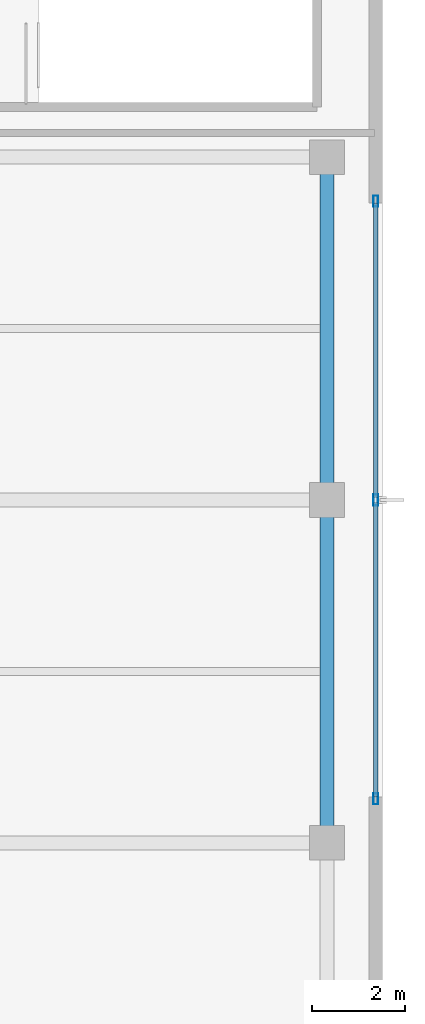
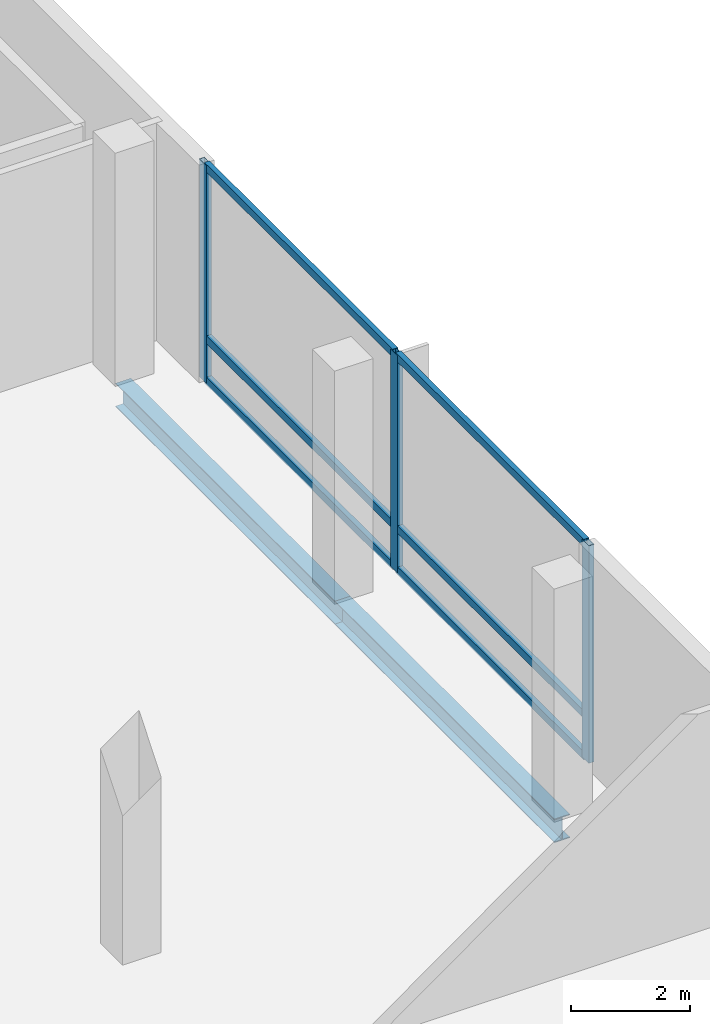
# One storey, part 6 of 19: 9 members, 2 beams, 1 element without a shape of its own.
"""IFC4 building model written with IfcOpenShell, lengths in metres."""

import ifcopenshell
import ifcopenshell.guid

model = None  # the IFC model being written
_history = None  # IfcOwnerHistory: only IFC2X3 demands one
_inside = {}  # id of a spatial element -> (the spatial element, [elements in it])
_under = {}  # id of a project, library or spatial element -> (it, [spatial elements below it])
_declared = {}  # id of a project -> (the project, [libraries it declares])
_typed = {}  # id of a type object -> (the type object, [elements of that type])
_made_of = {}  # id of a material, layer set ... -> (it, [elements and type objects made of it])


def new_model(schema):
    """Start an empty IFC model of exactly this schema.

    Asked for "IFC4X3", IfcOpenShell would pick the latest addendum, in which some entities
    have other attributes; the version numbers below select the first issue.
    IFC2X3 requires an IfcOwnerHistory on every rooted entity: one is made here for all.
    """
    global model, _history
    if schema == "IFC4X3":
        model = ifcopenshell.file(schema_version=(4, 3, 0, 0))
    else:
        model = ifcopenshell.file(schema=schema)
    _inside.clear()
    _under.clear()
    _declared.clear()
    _typed.clear()
    _made_of.clear()
    _history = None
    if model.schema == "IFC2X3":
        org = make("IfcOrganization", Name="unknown")
        user = make(
            "IfcPersonAndOrganization",
            ThePerson=make("IfcPerson", FamilyName="unknown"),
            TheOrganization=org,
        )
        app = make(
            "IfcApplication",
            ApplicationDeveloper=org,
            Version="unknown",
            ApplicationFullName="unknown",
            ApplicationIdentifier="unknown",
        )
        _history = make(
            "IfcOwnerHistory",
            OwningUser=user,
            OwningApplication=app,
            ChangeAction="ADDED",
            CreationDate=0,
        )
    return model


def make(cls, **values):
    """One entity of the class cls with the attributes given. An attribute that is None is left unset."""
    return model.create_entity(
        cls, **{name: value for name, value in values.items() if value is not None}
    )


def rooted(cls, **values):
    """An entity with a GlobalId (a new one), such as an element, a storey or a relation."""
    return make(cls, GlobalId=ifcopenshell.guid.new(), OwnerHistory=_history, **values)


def si_unit(unit_type, name, prefix=None):
    """IfcSIUnit, for example si_unit("LENGTHUNIT", "METRE", prefix="MILLI")."""
    return make("IfcSIUnit", UnitType=unit_type, Prefix=prefix, Name=name)


def assignment(units):
    """IfcUnitAssignment: the units of a project."""
    return None if units is None else make("IfcUnitAssignment", Units=units)


def point(xyz):
    """IfcCartesianPoint."""
    return None if xyz is None else make("IfcCartesianPoint", Coordinates=xyz)


def direction(xyz):
    """IfcDirection."""
    return None if xyz is None else make("IfcDirection", DirectionRatios=xyz)


def frame(location, z_axis=None, x_axis=None):
    """IfcAxis2Placement3D, a coordinate frame: its origin and axes. An axis left out is left unset."""
    return make(
        "IfcAxis2Placement3D",
        Location=point(location),
        Axis=direction(z_axis),
        RefDirection=direction(x_axis),
    )


def frame_2d(location, x_axis=None):
    """IfcAxis2Placement2D, a coordinate frame in the plane: its origin and x axis."""
    return make(
        "IfcAxis2Placement2D", Location=point(location), RefDirection=direction(x_axis)
    )


def origin():
    """The frame at (0, 0, 0) with its axes left unset."""
    return frame((0.0, 0.0, 0.0))


def origin_2d():
    """The frame at (0, 0) in the plane with its x axis left unset."""
    return frame_2d((0.0, 0.0))


def place(relative_to, where):
    """IfcLocalPlacement: puts the frame where relative to a parent placement (None: the world)."""
    return make(
        "IfcLocalPlacement", PlacementRelTo=relative_to, RelativePlacement=where
    )


def context(
    kind, dimensions, precision=None, world=None, true_north=None, identifier=None
):
    """IfcGeometricRepresentationContext, for example the 3D "Model" context."""
    return make(
        "IfcGeometricRepresentationContext",
        ContextIdentifier=identifier,
        ContextType=kind,
        CoordinateSpaceDimension=dimensions,
        Precision=precision,
        WorldCoordinateSystem=world,
        TrueNorth=true_north,
    )


def subcontext(parent, identifier, kind, view, scale=None):
    """IfcGeometricRepresentationSubContext, for example "Body" below "Model"."""
    return make(
        "IfcGeometricRepresentationSubContext",
        ContextIdentifier=identifier,
        ContextType=kind,
        ParentContext=parent,
        TargetScale=scale,
        TargetView=view,
    )


def project(units=None, contexts=None):
    """IfcProject with its units and contexts."""
    return rooted(
        "IfcProject",
        Name="project",
        RepresentationContexts=contexts,
        UnitsInContext=assignment(units),
    )


def spatial(cls, under=None, at=None, **own):
    """A site, building, storey or space (cls), placed at a placement, below another one or the project."""
    s = rooted(cls, ObjectPlacement=at, **own)
    if under is not None:
        _under.setdefault(under.id(), (under, []))[1].append(s)
    return s


def profile(cls, at=None, kind="AREA", **sizes):
    """A parametric profile (cls). Its sizes go by their IFC names, for example OverallWidth=200.0."""
    return make(cls, ProfileType=kind, Position=at, **sizes)


def hollow_rectangle(**sizes):
    """IfcRectangleHollowProfileDef."""
    return profile("IfcRectangleHollowProfileDef", **sizes)


def i_section(**sizes):
    """IfcIShapeProfileDef."""
    return profile("IfcIShapeProfileDef", **sizes)


def extrude(swept, where, along, depth):
    """IfcExtrudedAreaSolid: the profile swept, set in the frame where, extruded along a direction by depth."""
    return make(
        "IfcExtrudedAreaSolid",
        SweptArea=swept,
        Position=where,
        ExtrudedDirection=direction(along),
        Depth=depth,
    )


def shape(context_of_items, identifier, shape_type, items):
    """IfcShapeRepresentation: the items that make up one representation, for example the "Body"."""
    return make(
        "IfcShapeRepresentation",
        ContextOfItems=context_of_items,
        RepresentationIdentifier=identifier,
        RepresentationType=shape_type,
        Items=items,
    )


def material(Name=None, Category=None):
    """IfcMaterial."""
    return make("IfcMaterial", Name=Name, Category=Category)


def layer(
    of_material, thickness, ventilated=None, Name=None, Category=None, Priority=None
):
    """IfcMaterialLayer: one layer of a wall or slab, of a material (None: an air gap)."""
    return make(
        "IfcMaterialLayer",
        Material=of_material,
        LayerThickness=thickness,
        IsVentilated=ventilated,
        Name=Name,
        Category=Category,
        Priority=Priority,
    )


def layer_set(layers, Name=None):
    """IfcMaterialLayerSet."""
    return make("IfcMaterialLayerSet", MaterialLayers=layers, LayerSetName=Name)


def material_profile(
    of_material, cross_section, Name=None, Category=None, Priority=None
):
    """IfcMaterialProfile: a cross section and its material."""
    return make(
        "IfcMaterialProfile",
        Name=Name,
        Material=of_material,
        Profile=cross_section,
        Priority=Priority,
        Category=Category,
    )


def profile_set(profiles, Name=None, composite=None):
    """IfcMaterialProfileSet."""
    return make(
        "IfcMaterialProfileSet",
        Name=Name,
        MaterialProfiles=profiles,
        CompositeProfile=composite,
    )


def made_of(thing, what):
    """Note that an element or type object is made of a material, layer set ...; save() writes the relation."""
    if what is not None:
        _made_of.setdefault(what.id(), (what, []))[1].append(thing)
    return thing


def type_object(cls, material=None, **own):
    """A type object (cls), such as IfcWallType, which elements share."""
    return made_of(rooted(cls, **own), material)


def element(
    cls,
    number,
    at=None,
    inside=None,
    cuts=None,
    type_object=None,
    material=None,
    context=None,
    identifier="Body",
    shape_type=None,
    held_by="IfcProductDefinitionShape",
    body=None,
    shapes=None,
    **own,
):
    """One element of the class cls, such as IfcWall. Its Tag is "e" and its number.

    at: its placement. inside: the storey or other place that contains it. cuts: it is an
    opening in that element (IfcRelVoidsElement). A single representation is given by context,
    identifier, shape_type and body (its items); several are given by shapes. held_by: the class
    of the entity that holds the representations. save() writes the other relations.
    """
    e = rooted(cls, Tag="e%d" % number, ObjectPlacement=at, **own)
    if body is not None:
        shapes = [shape(context, identifier, shape_type, body)]
    if shapes is not None:
        e.Representation = make(held_by, Representations=shapes)
    if inside is not None:
        _inside.setdefault(inside.id(), (inside, []))[1].append(e)
    if cuts is not None:
        rooted(
            "IfcRelVoidsElement", RelatingBuildingElement=cuts, RelatedOpeningElement=e
        )
    if type_object is not None:
        _typed.setdefault(type_object.id(), (type_object, []))[1].append(e)
    return made_of(e, material)


def aggregate(whole, parts):
    """IfcRelAggregates: a whole, such as a stair, and the parts it consists of."""
    return rooted("IfcRelAggregates", RelatingObject=whole, RelatedObjects=parts)


def save(model, path):
    """Write the relations noted so far, then the file.

    IfcRelAggregates (storeys below a building ...), IfcRelContainedInSpatialStructure (elements
    in a storey), IfcRelDefinesByType, IfcRelAssociatesMaterial and IfcRelDeclares: one each for
    every whole, place, type object, material and project.
    """
    for whole, parts in _under.values():
        aggregate(whole, parts)
    for where, things in _inside.values():
        rooted(
            "IfcRelContainedInSpatialStructure",
            RelatedElements=things,
            RelatingStructure=where,
        )
    for kind, things in _typed.values():
        rooted("IfcRelDefinesByType", RelatedObjects=things, RelatingType=kind)
    for what, things in _made_of.values():
        rooted("IfcRelAssociatesMaterial", RelatedObjects=things, RelatingMaterial=what)
    for by, libraries in _declared.values():
        rooted("IfcRelDeclares", RelatingContext=by, RelatedDefinitions=libraries)
    model.write(path)


model = new_model("IFC4")

# Units and contexts
model_context = context("Model", 3, precision=1e-05, world=origin(), true_north=direction((0.0, 1.0)))
body_context = subcontext(model_context, "Body", "Model", "MODEL_VIEW")
ifc_project = project(units=[si_unit("LENGTHUNIT", "METRE"), si_unit("AREAUNIT", "SQUARE_METRE"), si_unit("VOLUMEUNIT", "CUBIC_METRE"), si_unit("PLANEANGLEUNIT", "RADIAN"), si_unit("MASSUNIT", "GRAM", prefix="KILO")], contexts=[model_context])

# Site, building, storey
site_placement = place(None, origin())
site = spatial("IfcSite", under=ifc_project, at=site_placement, CompositionType="ELEMENT")
building_placement = place(site_placement, origin())
building = spatial("IfcBuilding", under=site, at=building_placement, Name="Khorvyn Point Tower", CompositionType="ELEMENT")
storey_placement = place(building_placement, frame((0.0, 0.0, 21.60009765625)))
storey = spatial("IfcBuildingStorey", under=building, at=storey_placement, Name="L06", CompositionType="ELEMENT", Elevation=21.60009765625)

# Curtain wall, members
ifc_material_1 = material(Name="Anodised aluminium 6063-T6 and laminated Low-E glass", Category="aluminium")
ifc_layer = layer(ifc_material_1, 0.18994140625)
ifc_layer_set = layer_set([ifc_layer], Name="Stick-Built Low-E Podium Curtain Wall CW-SYS-01")
curtain_wall_type = type_object("IfcCurtainWallType", Name="Stick-Built Low-E Podium Curtain Wall CW-SYS-01", PredefinedType="NOTDEFINED", material=ifc_layer_set)
curtain_wall_placement = place(storey_placement, origin())
curtain_wall = element("IfcCurtainWall", 1, at=curtain_wall_placement, inside=storey, type_object=curtain_wall_type, Name="Curtain Wall", PredefinedType="NOTDEFINED")
ifc_material_2 = material(Name="Anodised aluminium 6063-T6", Category="aluminium")
ifc_material_profile_1 = material_profile(ifc_material_2, hollow_rectangle(XDim=0.10009765625, YDim=0.239990234375, WallThickness=0.0048828125, at=origin_2d()))
ifc_profile_set_1 = profile_set([ifc_material_profile_1], Name="Anodised aluminium 6063-T6 ALU-MUL-100x240")
member_type_1 = type_object("IfcMemberType", Name="Anodised Aluminium 6063-T6 Mullion ALU-MUL-100x240", PredefinedType="MULLION", material=ifc_profile_set_1)
member_1_placement = place(storey_placement, frame((33.449951171875, -6.449951171875, 0.0), z_axis=(0.0, 0.0, 1.0), x_axis=(-1.0, 0.0, 0.0)))
member_1 = element("IfcMember", 2, at=member_1_placement, type_object=member_type_1, Name="Transom", PredefinedType="MULLION", context=body_context, shape_type="SweptSolid", body=[
    extrude(hollow_rectangle(XDim=0.10009765625, YDim=0.239990234375, WallThickness=0.0048828125, at=origin_2d()), origin(), (0.0, 0.0, 1.0), 4.47998046875),
])
member_2_placement = place(storey_placement, frame((33.449951171875, 0.0, 0.0), z_axis=(0.0, 0.0, 1.0), x_axis=(-1.0, 0.0, 0.0)))
member_2 = element("IfcMember", 3, at=member_2_placement, type_object=member_type_1, Name="Transom", PredefinedType="MULLION", context=body_context, shape_type="SweptSolid", body=[
    extrude(hollow_rectangle(XDim=0.10009765625, YDim=0.239990234375, WallThickness=0.0048828125, at=origin_2d()), origin(), (0.0, 0.0, 1.0), 4.47998046875),
])
member_3_placement = place(storey_placement, frame((33.449951171875, 6.449951171875, 0.0), z_axis=(0.0, 0.0, 1.0), x_axis=(-1.0, 0.0, 0.0)))
member_3 = element("IfcMember", 4, at=member_3_placement, type_object=member_type_1, Name="Transom", PredefinedType="MULLION", context=body_context, shape_type="SweptSolid", body=[
    extrude(hollow_rectangle(XDim=0.10009765625, YDim=0.239990234375, WallThickness=0.0048828125, at=origin_2d()), origin(), (0.0, 0.0, 1.0), 4.47998046875),
])
ifc_material_profile_2 = material_profile(ifc_material_2, hollow_rectangle(XDim=0.10009765625, YDim=0.159912109375, WallThickness=0.00439453125, at=origin_2d()))
ifc_profile_set_2 = profile_set([ifc_material_profile_2], Name="Anodised aluminium 6063-T6 ALU-TRN-100x160")
member_type_2 = type_object("IfcMemberType", Name="Anodised Aluminium 6063-T6 Transom ALU-TRN-100x160", PredefinedType="USERDEFINED", material=ifc_profile_set_2)
member_4_placement = place(storey_placement, frame((33.449951171875, -6.39990234375, 0.0498046875), z_axis=(0.0, 1.0, 0.0), x_axis=(-1.0, 0.0, 0.0)))
member_4 = element("IfcMember", 5, at=member_4_placement, type_object=member_type_2, Name="Transom", ObjectType="TRANSOM", PredefinedType="USERDEFINED", context=body_context, shape_type="SweptSolid", body=[
    extrude(hollow_rectangle(XDim=0.10009765625, YDim=0.159912109375, WallThickness=0.00439453125, at=origin_2d()), origin(), (0.0, 0.0, 1.0), 6.349853515625),
])
member_5_placement = place(storey_placement, frame((33.449951171875, -6.39990234375, 0.89990234375), z_axis=(0.0, 1.0, 0.0), x_axis=(-1.0, 0.0, 0.0)))
member_5 = element("IfcMember", 6, at=member_5_placement, type_object=member_type_2, Name="Transom", ObjectType="TRANSOM", PredefinedType="USERDEFINED", context=body_context, shape_type="SweptSolid", body=[
    extrude(hollow_rectangle(XDim=0.10009765625, YDim=0.159912109375, WallThickness=0.00439453125, at=origin_2d()), origin(), (0.0, 0.0, 1.0), 6.349853515625),
])
member_6_placement = place(storey_placement, frame((33.449951171875, -6.39990234375, 4.429931640625), z_axis=(0.0, 1.0, 0.0), x_axis=(-1.0, 0.0, 0.0)))
member_6 = element("IfcMember", 7, at=member_6_placement, type_object=member_type_2, Name="Transom", ObjectType="TRANSOM", PredefinedType="USERDEFINED", context=body_context, shape_type="SweptSolid", body=[
    extrude(hollow_rectangle(XDim=0.10009765625, YDim=0.159912109375, WallThickness=0.00439453125, at=origin_2d()), origin(), (0.0, 0.0, 1.0), 6.349853515625),
])
member_7_placement = place(storey_placement, frame((33.449951171875, 0.050048828125, 0.0498046875), z_axis=(0.0, 1.0, 0.0), x_axis=(-1.0, 0.0, 0.0)))
member_7 = element("IfcMember", 8, at=member_7_placement, type_object=member_type_2, Name="Transom", ObjectType="TRANSOM", PredefinedType="USERDEFINED", context=body_context, shape_type="SweptSolid", body=[
    extrude(hollow_rectangle(XDim=0.10009765625, YDim=0.159912109375, WallThickness=0.00439453125, at=origin_2d()), origin(), (0.0, 0.0, 1.0), 6.349853515625),
])
member_8_placement = place(storey_placement, frame((33.449951171875, 0.050048828125, 0.89990234375), z_axis=(0.0, 1.0, 0.0), x_axis=(-1.0, 0.0, 0.0)))
member_8 = element("IfcMember", 9, at=member_8_placement, type_object=member_type_2, Name="Transom", ObjectType="TRANSOM", PredefinedType="USERDEFINED", context=body_context, shape_type="SweptSolid", body=[
    extrude(hollow_rectangle(XDim=0.10009765625, YDim=0.159912109375, WallThickness=0.00439453125, at=origin_2d()), origin(), (0.0, 0.0, 1.0), 6.349853515625),
])
member_9_placement = place(storey_placement, frame((33.449951171875, 0.050048828125, 4.429931640625), z_axis=(0.0, 1.0, 0.0), x_axis=(-1.0, 0.0, 0.0)))
member_9 = element("IfcMember", 10, at=member_9_placement, type_object=member_type_2, Name="Transom", ObjectType="TRANSOM", PredefinedType="USERDEFINED", context=body_context, shape_type="SweptSolid", body=[
    extrude(hollow_rectangle(XDim=0.10009765625, YDim=0.159912109375, WallThickness=0.00439453125, at=origin_2d()), origin(), (0.0, 0.0, 1.0), 6.349853515625),
])
aggregate(curtain_wall, [member_1, member_2, member_3, member_4, member_5, member_6, member_7, member_8, member_9])

# Beams
ifc_material_3 = material(Name="Steel S355", Category="steel")
ifc_material_profile_3 = material_profile(ifc_material_3, i_section(OverallWidth=0.300048828125, OverallDepth=0.488037109375, WebThickness=0.010986328125, FlangeThickness=0.01806640625, at=origin_2d()))
ifc_profile_set_3 = profile_set([ifc_material_profile_3], Name="Steel S355 H488x300x11x18")
beam_type = type_object("IfcBeamType", Name="Steel S355 Spandrel H488x300x11x18", PredefinedType="SPANDREL", material=ifc_profile_set_3)
for number, where, z_axis, x_axis, name in (
    (11, (32.39990234375, -7.39990234375, -0.484130859375), (0.0, 1.0, 0.0), (-1.0, 0.0, 0.0), "Beam"),
    (12, (32.39990234375, 0.0, -0.484130859375), (0.0, 1.0, 0.0), (-1.0, 0.0, 0.0), "Beam"),
):
    element("IfcBeam", number, at=place(storey_placement, frame(where, z_axis=z_axis, x_axis=x_axis)), inside=storey, type_object=beam_type, Name=name, PredefinedType="SPANDREL", context=body_context, shape_type="SweptSolid", body=[
        extrude(i_section(OverallWidth=0.300048828125, OverallDepth=0.488037109375, WebThickness=0.010986328125, FlangeThickness=0.01806640625, at=origin_2d()), origin(), (0.0, 0.0, 1.0), 7.39990234375),
    ])

save(model, "model.ifc")
